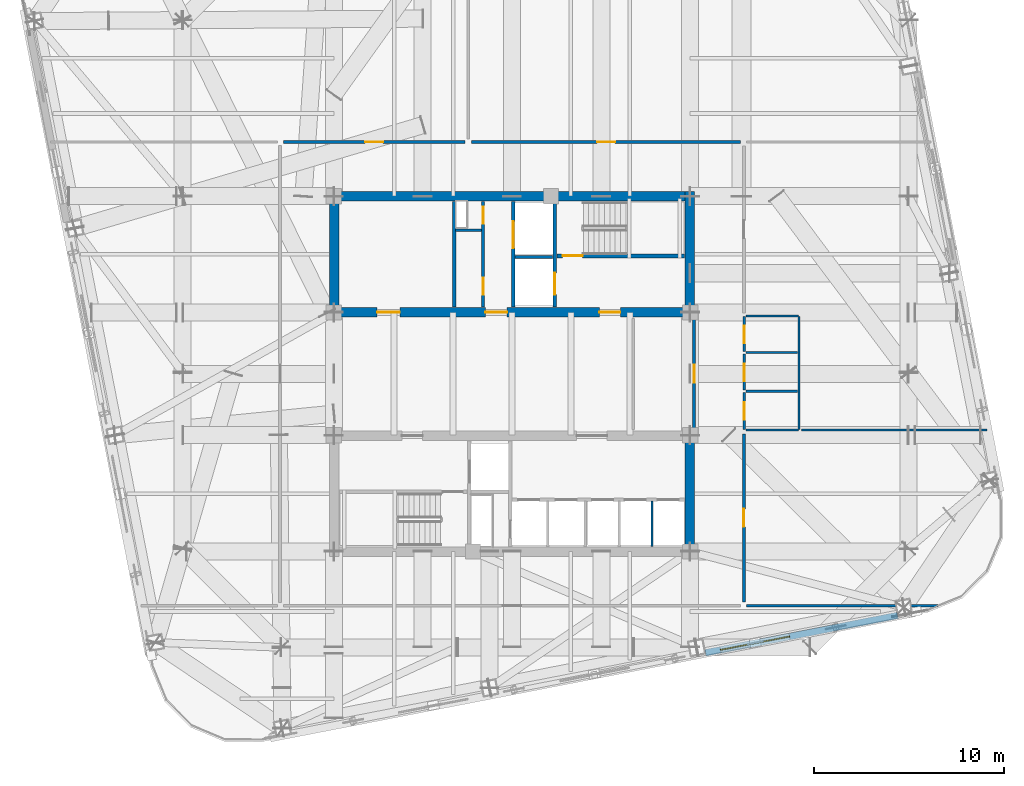
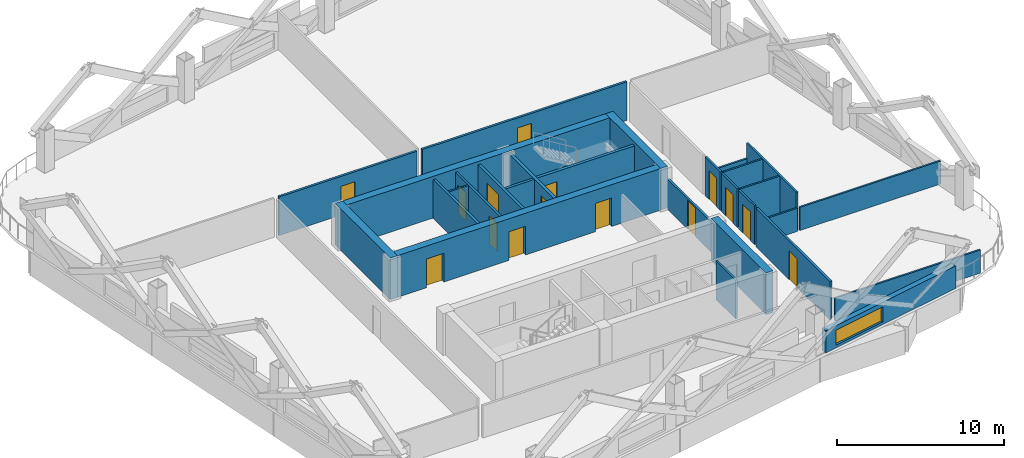
# One storey, part 10 of 14: 28 walls, 15 doors, 1 window, 16 openings.
"""IFC4 building model written with IfcOpenShell, lengths in metres."""

from ifc_helpers import new_model, si_unit, direction, frame, frame_2d, origin, place, context, subcontext, project, spatial, rectangle, extrude, material, layer, layer_set, type_object, element, fill, save


model = new_model("IFC4")

# Units and contexts
model_context = context("Model", 3, precision=1e-05, world=origin(), true_north=direction((0.0, 1.0)))
body_context = subcontext(model_context, "Body", "Model", "MODEL_VIEW")
ifc_project = project(units=[si_unit("LENGTHUNIT", "METRE"), si_unit("AREAUNIT", "SQUARE_METRE"), si_unit("VOLUMEUNIT", "CUBIC_METRE"), si_unit("PLANEANGLEUNIT", "RADIAN"), si_unit("MASSUNIT", "GRAM", prefix="KILO")], contexts=[model_context])

# Site, building, storey
site_placement = place(None, origin())
site = spatial("IfcSite", under=ifc_project, at=site_placement, CompositionType="ELEMENT")
building_placement = place(site_placement, origin())
building = spatial("IfcBuilding", under=site, at=building_placement, Name="Qhalaya Broadcast Tower", CompositionType="ELEMENT")
storey_placement = place(building_placement, frame((0.0, 0.0, 112.800048828125)))
storey = spatial("IfcBuildingStorey", under=building, at=storey_placement, Name="L32", CompositionType="ELEMENT", Elevation=112.800048828125)

# Wall, openings, doors
ifc_material_1 = material(Name="Gypsum Acoustic Partition")
ifc_layer_1 = layer(ifc_material_1, 0.14990234375, Name="Gypsum Acoustic Partition")
ifc_layer_set_1 = layer_set([ifc_layer_1], Name="Gypsum Acoustic Partition")
wall_type_1 = type_object("IfcWallType", Name="Corridor & Tenancy Acoustic Partition 150", PredefinedType="PARTITIONING", material=ifc_layer_set_1)
wall_1_placement = place(storey_placement, frame((-1.52001953125, 4.1201171875, 0.0), z_axis=(0.0, 0.0, 1.0), x_axis=(0.0, 1.0, 0.0)))
wall_1 = element("IfcWall", 1, at=wall_1_placement, inside=storey, type_object=wall_type_1, Name="L32 Partition Wall NCW-SVL", PredefinedType="PARTITIONING", context=body_context, shape_type="SweptSolid", body=[
    extrude(rectangle(XDim=5.559814453125, YDim=0.14990234375, at=frame_2d((2.77978515625, 0.0))), origin(), (0.0, 0.0, 1.0), 2.829833984375),
])
opening_1_placement = place(wall_1_placement, frame((4.3798828125, 0.0, 0.0)))
opening_1 = element("IfcOpeningElement", 2, at=opening_1_placement, cuts=wall_1, Name="Opening D06", PredefinedType="OPENING", context=body_context, shape_type="SweptSolid", body=[
    extrude(rectangle(XDim=0.89990234375, YDim=2.050048828125, at=frame_2d((0.449951171875, 1.02490234375))), frame((0.0, 0.0869140625, 0.0), z_axis=(0.0, -1.0, 0.0), x_axis=(1.0, 0.0, 0.0)), (0.0, 0.0, 1.0), 0.173828125),
])
opening_2_placement = place(wall_1_placement, frame((0.64990234375, 0.0, 0.0)))
opening_2 = element("IfcOpeningElement", 3, at=opening_2_placement, cuts=wall_1, Name="Opening D06", PredefinedType="OPENING", context=body_context, shape_type="SweptSolid", body=[
    extrude(rectangle(XDim=0.89990234375, YDim=2.050048828125, at=frame_2d((0.449951171875, 1.02490234375))), frame((0.0, 0.0869140625, 0.0), z_axis=(0.0, -1.0, 0.0), x_axis=(1.0, 0.0, 0.0)), (0.0, 0.0, 1.0), 0.173828125),
])
ifc_material_2 = material(Name="Fire-Rated Steel Door", Category="steel")
door_type_1 = type_object("IfcDoorType", Name="Riser & Electrical Shaft Access Door D06", OperationType="NOTDEFINED", PredefinedType="DOOR", material=ifc_material_2)
door_1_placement = place(opening_1_placement, origin())
door_1 = element("IfcDoor", 4, at=door_1_placement, inside=storey, type_object=door_type_1, Name="L32 Riser Shaft Access Door D-NRSR", OperationType="SINGLE_SWING_RIGHT", OverallHeight=2.050048828125, OverallWidth=0.89990234375, PredefinedType="DOOR", context=body_context, shape_type="SweptSolid", body=[
    extrude(rectangle(XDim=0.89990234375, YDim=2.050048828125, at=frame_2d((0.449951171875, 1.02490234375))), frame((0.0, 0.02490234375, 0.0), z_axis=(0.0, -1.0, 0.0), x_axis=(1.0, 0.0, 0.0)), (0.0, 0.0, 1.0), 0.050048828125),
])
fill(opening_1, door_1)
door_2_placement = place(opening_2_placement, origin())
door_2 = element("IfcDoor", 5, at=door_2_placement, inside=storey, type_object=door_type_1, Name="L32 Door D-NCST", OperationType="SINGLE_SWING_LEFT", OverallHeight=2.050048828125, OverallWidth=0.89990234375, PredefinedType="DOOR", context=body_context, shape_type="SweptSolid", body=[
    extrude(rectangle(XDim=0.89990234375, YDim=2.050048828125, at=frame_2d((0.449951171875, 1.02490234375))), frame((0.0, 0.02490234375, 0.0), z_axis=(0.0, -1.0, 0.0), x_axis=(1.0, 0.0, 0.0)), (0.0, 0.0, 1.0), 0.050048828125),
])
fill(opening_2, door_2)

# Wall, opening, door
wall_2_placement = place(storey_placement, frame((9.580078125, -2.320068359375, 0.0), z_axis=(0.0, 0.0, 1.0), x_axis=(0.0, 1.0, 0.0)))
wall_2 = element("IfcWall", 6, at=wall_2_placement, inside=storey, type_object=wall_type_1, Name="L32 Partition Wall W-ICHE", PredefinedType="PARTITIONING", context=body_context, shape_type="SweptSolid", body=[
    extrude(rectangle(XDim=5.840087890625, YDim=0.14990234375, at=frame_2d((2.919921875, 0.0))), origin(), (0.0, 0.0, 1.0), 2.197998046875),
])
opening_3_placement = place(wall_2_placement, frame((2.445068359375, 0.0, 0.0)))
opening_3 = element("IfcOpeningElement", 7, at=opening_3_placement, cuts=wall_2, Name="Opening D10", PredefinedType="OPENING", context=body_context, shape_type="SweptSolid", body=[
    extrude(rectangle(XDim=0.949951171875, YDim=2.10009765625, at=frame_2d((0.47509765625, 1.050048828125))), frame((0.0, 0.0869140625, 0.0), z_axis=(0.0, -1.0, 0.0), x_axis=(1.0, 0.0, 0.0)), (0.0, 0.0, 1.0), 0.173828125),
])
ifc_material_3 = material(Name="Timber Veneer Acoustic Door", Category="wood")
door_type_2 = type_object("IfcDoorType", Name="Cellular Office & Edit Booth Door D10", OperationType="NOTDEFINED", PredefinedType="DOOR", material=ifc_material_3)
door_3_placement = place(opening_3_placement, origin())
door_3 = element("IfcDoor", 8, at=door_3_placement, inside=storey, type_object=door_type_2, Name="L32 Door D-ICHE", OperationType="SINGLE_SWING_RIGHT", OverallHeight=2.10009765625, OverallWidth=0.949951171875, PredefinedType="DOOR", context=body_context, shape_type="SweptSolid", body=[
    extrude(rectangle(XDim=0.949951171875, YDim=2.10009765625, at=frame_2d((0.47509765625, 1.050048828125))), frame((0.0, 0.02490234375, 0.0), z_axis=(0.0, -1.0, 0.0), x_axis=(1.0, 0.0, 0.0)), (0.0, 0.0, 1.0), 0.050048828125),
])
fill(opening_3, door_3)

wall_3_placement = place(storey_placement, frame((-12.02001953125, 12.800048828125, 0.0), z_axis=(0.0, 0.0, 1.0), x_axis=(1.0, 0.0, 0.0)))
wall_3 = element("IfcWall", 9, at=wall_3_placement, inside=storey, type_object=wall_type_1, Name="L32 Partition Wall W-COR-01", PredefinedType="PARTITIONING", context=body_context, shape_type="SweptSolid", body=[
    extrude(rectangle(XDim=9.5400390625, YDim=0.14990234375, at=frame_2d((4.77001953125, 0.0))), origin(), (0.0, 0.0, 1.0), 2.829833984375),
])
opening_4_placement = place(wall_3_placement, frame((4.294921875, 0.0, 0.0)))
opening_4 = element("IfcOpeningElement", 10, at=opening_4_placement, cuts=wall_3, Name="Opening D10", PredefinedType="OPENING", context=body_context, shape_type="SweptSolid", body=[
    extrude(rectangle(XDim=0.949951171875, YDim=2.10009765625, at=frame_2d((0.47509765625, 1.050048828125))), frame((0.0, 0.0869140625, 0.0), z_axis=(0.0, -1.0, 0.0), x_axis=(1.0, 0.0, 0.0)), (0.0, 0.0, 1.0), 0.173828125),
])
door_4_placement = place(opening_4_placement, origin())
door_4 = element("IfcDoor", 11, at=door_4_placement, inside=storey, type_object=door_type_2, Name="L32 Door D-RM01", OperationType="SINGLE_SWING_RIGHT", OverallHeight=2.10009765625, OverallWidth=0.949951171875, PredefinedType="DOOR", context=body_context, shape_type="SweptSolid", body=[
    extrude(rectangle(XDim=0.949951171875, YDim=2.10009765625, at=frame_2d((0.47509765625, 1.050048828125))), frame((0.0, 0.02490234375, 0.0), z_axis=(0.0, -1.0, 0.0), x_axis=(1.0, 0.0, 0.0)), (0.0, 0.0, 1.0), 0.050048828125),
])
fill(opening_4, door_4)

wall_4_placement = place(storey_placement, frame((-2.1201171875, 12.800048828125, 0.0), z_axis=(0.0, 0.0, 1.0), x_axis=(1.0, 0.0, 0.0)))
wall_4 = element("IfcWall", 12, at=wall_4_placement, inside=storey, type_object=wall_type_1, Name="L32 Partition Wall W-COR-02", PredefinedType="PARTITIONING", context=body_context, shape_type="SweptSolid", body=[
    extrude(rectangle(XDim=14.14013671875, YDim=0.14990234375, at=frame_2d((7.070068359375, 0.0))), origin(), (0.0, 0.0, 1.0), 2.829833984375),
])
opening_5_placement = place(wall_4_placement, frame((6.594970703125, 0.0, 0.0)))
opening_5 = element("IfcOpeningElement", 13, at=opening_5_placement, cuts=wall_4, Name="Opening D10", PredefinedType="OPENING", context=body_context, shape_type="SweptSolid", body=[
    extrude(rectangle(XDim=0.949951171875, YDim=2.10009765625, at=frame_2d((0.47509765625, 1.050048828125))), frame((0.0, 0.0869140625, 0.0), z_axis=(0.0, -1.0, 0.0), x_axis=(1.0, 0.0, 0.0)), (0.0, 0.0, 1.0), 0.173828125),
])
door_5_placement = place(opening_5_placement, origin())
door_5 = element("IfcDoor", 14, at=door_5_placement, inside=storey, type_object=door_type_2, Name="L32 Door D-RM02", OperationType="SINGLE_SWING_LEFT", OverallHeight=2.10009765625, OverallWidth=0.949951171875, PredefinedType="DOOR", context=body_context, shape_type="SweptSolid", body=[
    extrude(rectangle(XDim=0.949951171875, YDim=2.10009765625, at=frame_2d((0.47509765625, 1.050048828125))), frame((0.0, 0.02490234375, 0.0), z_axis=(0.0, -1.0, 0.0), x_axis=(1.0, 0.0, 0.0)), (0.0, 0.0, 1.0), 0.050048828125),
])
fill(opening_5, door_5)

wall_5_placement = place(storey_placement, frame((12.199951171875, -11.39990234375, 0.0), z_axis=(0.0, 0.0, 1.0), x_axis=(0.0, 1.0, 0.0)))
wall_5 = element("IfcWall", 15, at=wall_5_placement, inside=storey, type_object=wall_type_1, Name="L32 Partition Wall W-COR-05", PredefinedType="PARTITIONING", context=body_context, shape_type="SweptSolid", body=[
    extrude(rectangle(XDim=8.83984375, YDim=0.14990234375, at=frame_2d((4.419921875, 0.0))), origin(), (0.0, 0.0, 1.0), 2.829833984375),
])
opening_6_placement = place(wall_5_placement, frame((3.945068359375, 0.0, 0.0)))
opening_6 = element("IfcOpeningElement", 16, at=opening_6_placement, cuts=wall_5, Name="Opening D10", PredefinedType="OPENING", context=body_context, shape_type="SweptSolid", body=[
    extrude(rectangle(XDim=0.949951171875, YDim=2.10009765625, at=frame_2d((0.47509765625, 1.050048828125))), frame((0.0, 0.0869140625, 0.0), z_axis=(0.0, -1.0, 0.0), x_axis=(1.0, 0.0, 0.0)), (0.0, 0.0, 1.0), 0.173828125),
])
door_6_placement = place(opening_6_placement, origin())
door_6 = element("IfcDoor", 17, at=door_6_placement, inside=storey, type_object=door_type_2, Name="L32 Door D-RM05", OperationType="SINGLE_SWING_RIGHT", OverallHeight=2.10009765625, OverallWidth=0.949951171875, PredefinedType="DOOR", context=body_context, shape_type="SweptSolid", body=[
    extrude(rectangle(XDim=0.949951171875, YDim=2.10009765625, at=frame_2d((0.47509765625, 1.050048828125))), frame((0.0, 0.02490234375, 0.0), z_axis=(0.0, -1.0, 0.0), x_axis=(1.0, 0.0, 0.0)), (0.0, 0.0, 1.0), 0.050048828125),
])
fill(opening_6, door_6)

# Wall, opening, window
ifc_material_4 = material(Name="Precast Concrete C40/50", Category="concrete")
ifc_layer_2 = layer(ifc_material_4, 0.360107421875, Name="Precast Concrete C40/50")
ifc_layer_set_2 = layer_set([ifc_layer_2], Name="Precast Concrete C40/50")
wall_type_2 = type_object("IfcWallType", Name="Insulated Precast Terracotta Exterior Wall 360", PredefinedType="SOLIDWALL", material=ifc_layer_set_2)
wall_6_placement = place(storey_placement, frame((20.29638671875, -12.10986328125, 0.0), z_axis=(0.0, 0.0, 1.0), x_axis=(-0.981628941133, -0.190799952646, 0.0)))
wall_6 = element("IfcWall", 18, at=wall_6_placement, inside=storey, type_object=wall_type_2, Name="L32 Exoskeleton Diagrid Infill Wall S1", PredefinedType="SOLIDWALL", context=body_context, shape_type="SweptSolid", body=[
    extrude(rectangle(XDim=10.31201171875, YDim=0.360107421875, at=frame_2d((5.156005859375, 0.0))), origin(), (0.0, 0.0, 1.0), 1.6318359375),
])
opening_7_placement = place(wall_6_placement, frame((5.800048828125, 0.0, 0.199951171875)))
opening_7 = element("IfcOpeningElement", 19, at=opening_7_placement, cuts=wall_6, Name="Opening W11", PredefinedType="OPENING", context=body_context, shape_type="SweptSolid", body=[
    extrude(rectangle(XDim=3.699951171875, YDim=1.10009765625, at=frame_2d((1.85009765625, 0.550048828125))), frame((0.0, 0.192138671875, 0.0), z_axis=(0.0, -1.0, 0.0), x_axis=(1.0, 0.0, 0.0)), (0.0, 0.0, 1.0), 0.384033203125),
])
ifc_material_5 = material(Name="Solar-Control Low-E Triple Glazing", Category="glass")
window_type = type_object("IfcWindowType", Name="Odd-Block Diagrid Infill Window W11", PartitioningType="SINGLE_PANEL", PredefinedType="WINDOW", material=ifc_material_5)
window_placement = place(opening_7_placement, origin())
window = element("IfcWindow", 20, at=window_placement, inside=storey, type_object=window_type, Name="L32 Diagrid Infill Window W11-S1", OverallHeight=1.10009765625, OverallWidth=3.699951171875, PartitioningType="SINGLE_PANEL", PredefinedType="WINDOW", context=body_context, shape_type="SweptSolid", body=[
    extrude(rectangle(XDim=3.699951171875, YDim=1.10009765625, at=frame_2d((1.85009765625, 0.550048828125))), frame((0.0, 0.030029296875, 0.0), z_axis=(0.0, -1.0, 0.0), x_axis=(1.0, 0.0, 0.0)), (0.0, 0.0, 1.0), 0.06005859375),
])
fill(opening_7, window)

# Wall, opening, door
ifc_material_6 = material(Name="Concrete C50/60", Category="concrete")
ifc_layer_3 = layer(ifc_material_6, 0.199951171875, Name="Concrete C50/60")
ifc_layer_set_3 = layer_set([ifc_layer_3], Name="Concrete C50/60")
wall_type_3 = type_object("IfcWallType", Name="Load-Bearing Stair Shaft Wall 200", PredefinedType="SHEAR", material=ifc_layer_set_3)
wall_7_placement = place(storey_placement, frame((2.360107421875, 6.804931640625, 0.0), z_axis=(0.0, 0.0, 1.0), x_axis=(1.0, 0.0, 0.0)))
wall_7 = element("IfcWall", 21, at=wall_7_placement, inside=storey, type_object=wall_type_3, Name="L32 Stair Core Shear Wall NCW-ST1", PredefinedType="SHEAR", context=body_context, shape_type="SweptSolid", body=[
    extrude(rectangle(XDim=6.719970703125, YDim=0.199951171875, at=frame_2d((3.35986328125, 0.0))), origin(), (0.0, 0.0, 1.0), 2.829833984375),
])
opening_8_placement = place(wall_7_placement, frame((0.300048828125, 0.0, 0.0)))
opening_8 = element("IfcOpeningElement", 22, at=opening_8_placement, cuts=wall_7, Name="Opening D03", PredefinedType="OPENING", context=body_context, shape_type="SweptSolid", body=[
    extrude(rectangle(XDim=1.050048828125, YDim=2.080078125, at=frame_2d((0.52490234375, 1.0400390625))), frame((0.0, 0.112060546875, 0.0), z_axis=(0.0, -1.0, 0.0), x_axis=(1.0, 0.0, 0.0)), (0.0, 0.0, 1.0), 0.223876953125),
])
door_type_3 = type_object("IfcDoorType", Name="Core Stair Protected Fire Door D03", OperationType="NOTDEFINED", PredefinedType="DOOR", material=ifc_material_2)
door_7_placement = place(opening_8_placement, origin())
door_7 = element("IfcDoor", 23, at=door_7_placement, inside=storey, type_object=door_type_3, Name="L32 Door D-NST1", OperationType="SINGLE_SWING_LEFT", OverallHeight=2.080078125, OverallWidth=1.050048828125, PredefinedType="DOOR", context=body_context, shape_type="SweptSolid", body=[
    extrude(rectangle(XDim=1.050048828125, YDim=2.080078125, at=frame_2d((0.52490234375, 1.0400390625))), frame((0.0, 0.02490234375, 0.0), z_axis=(0.0, -1.0, 0.0), x_axis=(1.0, 0.0, 0.0)), (0.0, 0.0, 1.0), 0.050048828125),
])
fill(opening_8, door_7)

wall_8_placement = place(storey_placement, frame((2.25, 4.1201171875, 0.0), z_axis=(0.0, 0.0, 1.0), x_axis=(0.0, 1.0, 0.0)))
wall_8 = element("IfcWall", 24, at=wall_8_placement, inside=storey, type_object=wall_type_3, Name="L32 Stair Core Shear Wall NCW-FF", PredefinedType="SHEAR", context=body_context, shape_type="SweptSolid", body=[
    extrude(rectangle(XDim=5.559814453125, YDim=0.199951171875, at=frame_2d((2.77978515625, 0.0))), origin(), (0.0, 0.0, 1.0), 2.829833984375),
])
opening_9_placement = place(wall_8_placement, frame((0.64990234375, 0.0, 0.0)))
opening_9 = element("IfcOpeningElement", 25, at=opening_9_placement, cuts=wall_8, Name="Opening LD2", PredefinedType="OPENING", context=body_context, shape_type="SweptSolid", body=[
    extrude(rectangle(XDim=1.14990234375, YDim=2.080078125, at=frame_2d((0.574951171875, 1.0400390625))), frame((0.0, 0.112060546875, 0.0), z_axis=(0.0, -1.0, 0.0), x_axis=(1.0, 0.0, 0.0)), (0.0, 0.0, 1.0), 0.223876953125),
])
ifc_material_7 = material(Name="Brushed Stainless Steel Lift Door", Category="steel")
door_type_4 = type_object("IfcDoorType", Name="Firefighting Lift Sliding Landing Door LD2", OperationType="DOUBLE_DOOR_SLIDING", PredefinedType="DOOR", material=ifc_material_7)
door_8_placement = place(opening_9_placement, origin())
door_8 = element("IfcDoor", 26, at=door_8_placement, inside=storey, type_object=door_type_4, Name="L32 Door LD-FF1", OperationType="DOUBLE_DOOR_SLIDING", OverallHeight=2.080078125, OverallWidth=1.14990234375, PredefinedType="DOOR", context=body_context, shape_type="SweptSolid", body=[
    extrude(rectangle(XDim=1.14990234375, YDim=2.080078125, at=frame_2d((0.574951171875, 1.0400390625))), frame((0.0, 0.02490234375, 0.0), z_axis=(0.0, -1.0, 0.0), x_axis=(1.0, 0.0, 0.0)), (0.0, 0.0, 1.0), 0.050048828125),
])
fill(opening_9, door_8)

# Wall
ifc_layer_4 = layer(ifc_material_6, 0.5, Name="Concrete C50/60")
ifc_layer_set_4 = layer_set([ifc_layer_4], Name="Concrete C50/60")
wall_type_4 = type_object("IfcWallType", Name="Mid Split-Core Shear Wall 500", PredefinedType="SHEAR", material=ifc_layer_set_4)
wall_9_placement = place(storey_placement, frame((-9.60009765625, 9.949951171875, 0.0), z_axis=(0.0, 0.0, 1.0), x_axis=(1.0, 0.0, 0.0)))
element("IfcWall", 27, at=wall_9_placement, inside=storey, type_object=wall_type_4, Name="L32 Split-Core Shear Wall CW-NN", PredefinedType="SHEAR", context=body_context, shape_type="SweptSolid", body=[
    extrude(rectangle(XDim=19.2001953125, YDim=0.5, at=frame_2d((9.60009765625, 0.0))), origin(), (0.0, 0.0, 1.0), 3.050048828125),
])

# Wall, openings, doors
wall_10_placement = place(storey_placement, frame((-9.60009765625, 3.85009765625, 0.0), z_axis=(0.0, 0.0, 1.0), x_axis=(1.0, 0.0, 0.0)))
wall_10 = element("IfcWall", 28, at=wall_10_placement, inside=storey, type_object=wall_type_4, Name="L32 Split-Core Shear Wall CW-NS", PredefinedType="SHEAR", context=body_context, shape_type="SweptSolid", body=[
    extrude(rectangle(XDim=19.2001953125, YDim=0.5, at=frame_2d((9.60009765625, 0.0))), origin(), (0.0, 0.0, 1.0), 3.050048828125),
])
opening_10_placement = place(wall_10_placement, frame((14.199951171875, 0.0, 0.0)))
opening_10 = element("IfcOpeningElement", 29, at=opening_10_placement, cuts=wall_10, Name="Opening D04", PredefinedType="OPENING", context=body_context, shape_type="SweptSolid", body=[
    extrude(rectangle(XDim=1.10009765625, YDim=2.080078125, at=frame_2d((0.550048828125, 1.0400390625))), frame((0.0, 0.261962890625, 0.0), z_axis=(0.0, -1.0, 0.0), x_axis=(1.0, 0.0, 0.0)), (0.0, 0.0, 1.0), 0.52392578125),
])
opening_11_placement = place(wall_10_placement, frame((8.199951171875, 0.0, 0.0)))
opening_11 = element("IfcOpeningElement", 30, at=opening_11_placement, cuts=wall_10, Name="Opening D05", PredefinedType="OPENING", context=body_context, shape_type="SweptSolid", body=[
    extrude(rectangle(XDim=1.14990234375, YDim=2.10009765625, at=frame_2d((0.574951171875, 1.050048828125))), frame((0.0, 0.261962890625, 0.0), z_axis=(0.0, -1.0, 0.0), x_axis=(1.0, 0.0, 0.0)), (0.0, 0.0, 1.0), 0.52392578125),
])
opening_12_placement = place(wall_10_placement, frame((2.5, 0.0, 0.0)))
opening_12 = element("IfcOpeningElement", 31, at=opening_12_placement, cuts=wall_10, Name="Opening D11", PredefinedType="OPENING", context=body_context, shape_type="SweptSolid", body=[
    extrude(rectangle(XDim=1.199951171875, YDim=2.10009765625, at=frame_2d((0.60009765625, 1.050048828125))), frame((0.0, 0.261962890625, 0.0), z_axis=(0.0, -1.0, 0.0), x_axis=(1.0, 0.0, 0.0)), (0.0, 0.0, 1.0), 0.52392578125),
])
ifc_material_8 = material(Name="Anodised Aluminium Glazed Door", Category="aluminium")
door_type_5 = type_object("IfcDoorType", Name="Conference, Boardroom & Studio Control Door D11", OperationType="NOTDEFINED", PredefinedType="DOOR", material=ifc_material_8)
door_9_placement = place(opening_12_placement, origin())
door_9 = element("IfcDoor", 32, at=door_9_placement, inside=storey, type_object=door_type_5, Name="L32 Door D-NREC1", OperationType="SINGLE_SWING_LEFT", OverallHeight=2.10009765625, OverallWidth=1.199951171875, PredefinedType="DOOR", context=body_context, shape_type="SweptSolid", body=[
    extrude(rectangle(XDim=1.199951171875, YDim=2.10009765625, at=frame_2d((0.60009765625, 1.050048828125))), frame((0.0, 0.02490234375, 0.0), z_axis=(0.0, -1.0, 0.0), x_axis=(1.0, 0.0, 0.0)), (0.0, 0.0, 1.0), 0.050048828125),
])
fill(opening_12, door_9)
door_type_6 = type_object("IfcDoorType", Name="Firefighting Lobby Rated Door D04", OperationType="NOTDEFINED", PredefinedType="DOOR", material=ifc_material_2)
door_10_placement = place(opening_10_placement, origin())
door_10 = element("IfcDoor", 33, at=door_10_placement, inside=storey, type_object=door_type_6, Name="L32 Door D-NFF", OperationType="SINGLE_SWING_RIGHT", OverallHeight=2.080078125, OverallWidth=1.10009765625, PredefinedType="DOOR", context=body_context, shape_type="SweptSolid", body=[
    extrude(rectangle(XDim=1.10009765625, YDim=2.080078125, at=frame_2d((0.550048828125, 1.0400390625))), frame((0.0, 0.02490234375, 0.0), z_axis=(0.0, -1.0, 0.0), x_axis=(1.0, 0.0, 0.0)), (0.0, 0.0, 1.0), 0.050048828125),
])
fill(opening_10, door_10)
door_type_7 = type_object("IfcDoorType", Name="Refuge & Plant Room Fire Door D05", OperationType="NOTDEFINED", PredefinedType="DOOR", material=ifc_material_2)
door_11_placement = place(opening_11_placement, origin())
door_11 = element("IfcDoor", 34, at=door_11_placement, inside=storey, type_object=door_type_7, Name="L32 Door D-NSVL", OperationType="SINGLE_SWING_LEFT", OverallHeight=2.10009765625, OverallWidth=1.14990234375, PredefinedType="DOOR", context=body_context, shape_type="SweptSolid", body=[
    extrude(rectangle(XDim=1.14990234375, YDim=2.10009765625, at=frame_2d((0.574951171875, 1.050048828125))), frame((0.0, 0.02490234375, 0.0), z_axis=(0.0, -1.0, 0.0), x_axis=(1.0, 0.0, 0.0)), (0.0, 0.0, 1.0), 0.050048828125),
])
fill(opening_11, door_11)

# Walls
for number, where, z_axis, x_axis, name in (
    (35, (-9.35009765625, 3.60009765625, 0.0), (0.0, 0.0, 1.0), (0.0, 1.0, 0.0), "L32 Split-Core Shear Wall CW-NW"),
    (36, (9.35009765625, 3.60009765625, 0.0), (0.0, 0.0, 1.0), (0.0, 1.0, 0.0), "L32 Split-Core Shear Wall CW-NE"),
):
    element("IfcWall", number, at=place(storey_placement, frame(where, z_axis=z_axis, x_axis=x_axis)), inside=storey, type_object=wall_type_4, Name=name, PredefinedType="SHEAR", context=body_context, shape_type="SweptSolid", body=[
        extrude(rectangle(XDim=6.599853515625, YDim=0.5, at=frame_2d((3.2998046875, 0.0))), origin(), (0.0, 0.0, 1.0), 3.050048828125),
    ])
wall_11_placement = place(storey_placement, frame((9.35009765625, -9.0, 0.0), z_axis=(0.0, 0.0, 1.0), x_axis=(0.0, 1.0, 0.0)))
element("IfcWall", 37, at=wall_11_placement, inside=storey, type_object=wall_type_4, Name="L32 Split-Core Shear Wall CW-SE", PredefinedType="SHEAR", context=body_context, shape_type="SweptSolid", body=[
    extrude(rectangle(XDim=6.60009765625, YDim=0.5, at=frame_2d((3.300048828125, 0.0))), origin(), (0.0, 0.0, 1.0), 3.050048828125),
])
ifc_layer_5 = layer(ifc_material_1, 0.1201171875, Name="Gypsum Acoustic Partition")
ifc_layer_set_5 = layer_set([ifc_layer_5], Name="Gypsum Acoustic Partition")
wall_type_5 = type_object("IfcWallType", Name="Office, Booth & Sanitary Partition 120", PredefinedType="PARTITIONING", material=ifc_layer_set_5)
wall_12_placement = place(storey_placement, frame((-2.9599609375, 8.14990234375, 0.0), z_axis=(0.0, 0.0, 1.0), x_axis=(1.0, 0.0, 0.0)))
element("IfcWall", 38, at=wall_12_placement, inside=storey, type_object=wall_type_5, Name="L32 Partition Wall NCW-VA", PredefinedType="PARTITIONING", context=body_context, shape_type="SweptSolid", body=[
    extrude(rectangle(XDim=1.35986328125, YDim=0.1201171875, at=frame_2d((0.679931640625, 0.0))), origin(), (0.0, 0.0, 1.0), 2.829833984375),
])
wall_13_placement = place(storey_placement, frame((7.360107421875, -8.47998046875, 0.0), z_axis=(0.0, 0.0, 1.0), x_axis=(0.0, 1.0, 0.0)))
element("IfcWall", 39, at=wall_13_placement, inside=storey, type_object=wall_type_5, Name="L32 Partition Wall SCW-HD7", PredefinedType="PARTITIONING", context=body_context, shape_type="SweptSolid", body=[
    extrude(rectangle(XDim=2.3798828125, YDim=0.1201171875, at=frame_2d((1.18994140625, 0.0))), origin(), (0.0, 0.0, 1.0), 2.829833984375),
])

# Wall, opening, door
wall_14_placement = place(storey_placement, frame((12.219970703125, -2.320068359375, 0.0), z_axis=(0.0, 0.0, 1.0), x_axis=(0.0, 1.0, 0.0)))
wall_14 = element("IfcWall", 40, at=wall_14_placement, inside=storey, type_object=wall_type_5, Name="L32 Partition Wall W-WCWA", PredefinedType="PARTITIONING", context=body_context, shape_type="SweptSolid", body=[
    extrude(rectangle(XDim=1.940185546875, YDim=0.1201171875, at=frame_2d((0.97021484375, 0.0))), origin(), (0.0, 0.0, 1.0), 2.829833984375),
])
opening_13_placement = place(wall_14_placement, frame((0.4951171875, 0.0, 0.0)))
opening_13 = element("IfcOpeningElement", 41, at=opening_13_placement, cuts=wall_14, Name="Opening D12", PredefinedType="OPENING", context=body_context, shape_type="SweptSolid", body=[
    extrude(rectangle(XDim=0.919921875, YDim=2.10009765625, at=frame_2d((0.4599609375, 1.050048828125))), frame((0.0, 0.072021484375, 0.0), z_axis=(0.0, -1.0, 0.0), x_axis=(1.0, 0.0, 0.0)), (0.0, 0.0, 1.0), 0.14404296875),
])
door_type_8 = type_object("IfcDoorType", Name="Accessible WC & Restroom Door D12", OperationType="NOTDEFINED", PredefinedType="DOOR", material=ifc_material_3)
door_12_placement = place(opening_13_placement, origin())
door_12 = element("IfcDoor", 42, at=door_12_placement, inside=storey, type_object=door_type_8, Name="L32 Door D-WCA", OperationType="SINGLE_SWING_LEFT", OverallHeight=2.10009765625, OverallWidth=0.919921875, PredefinedType="DOOR", context=body_context, shape_type="SweptSolid", body=[
    extrude(rectangle(XDim=0.919921875, YDim=2.10009765625, at=frame_2d((0.4599609375, 1.050048828125))), frame((0.0, 0.02490234375, 0.0), z_axis=(0.0, -1.0, 0.0), x_axis=(1.0, 0.0, 0.0)), (0.0, 0.0, 1.0), 0.050048828125),
])
fill(opening_13, door_12)

wall_15_placement = place(storey_placement, frame((12.219970703125, -0.25, 0.0), z_axis=(0.0, 0.0, 1.0), x_axis=(0.0, 1.0, 0.0)))
wall_15 = element("IfcWall", 43, at=wall_15_placement, inside=storey, type_object=wall_type_5, Name="L32 Partition Wall W-WCWM", PredefinedType="PARTITIONING", context=body_context, shape_type="SweptSolid", body=[
    extrude(rectangle(XDim=1.89990234375, YDim=0.1201171875, at=frame_2d((0.949951171875, 0.0))), origin(), (0.0, 0.0, 1.0), 2.829833984375),
])
opening_14_placement = place(wall_15_placement, frame((0.47509765625, 0.0, 0.0)))
opening_14 = element("IfcOpeningElement", 44, at=opening_14_placement, cuts=wall_15, Name="Opening D12", PredefinedType="OPENING", context=body_context, shape_type="SweptSolid", body=[
    extrude(rectangle(XDim=0.919921875, YDim=2.10009765625, at=frame_2d((0.4599609375, 1.050048828125))), frame((0.0, 0.072021484375, 0.0), z_axis=(0.0, -1.0, 0.0), x_axis=(1.0, 0.0, 0.0)), (0.0, 0.0, 1.0), 0.14404296875),
])
door_13_placement = place(opening_14_placement, origin())
door_13 = element("IfcDoor", 45, at=door_13_placement, inside=storey, type_object=door_type_8, Name="L32 Door D-WCM", OperationType="SINGLE_SWING_RIGHT", OverallHeight=2.10009765625, OverallWidth=0.919921875, PredefinedType="DOOR", context=body_context, shape_type="SweptSolid", body=[
    extrude(rectangle(XDim=0.919921875, YDim=2.10009765625, at=frame_2d((0.4599609375, 1.050048828125))), frame((0.0, 0.02490234375, 0.0), z_axis=(0.0, -1.0, 0.0), x_axis=(1.0, 0.0, 0.0)), (0.0, 0.0, 1.0), 0.050048828125),
])
fill(opening_14, door_13)

wall_16_placement = place(storey_placement, frame((12.219970703125, 1.780029296875, 0.0), z_axis=(0.0, 0.0, 1.0), x_axis=(0.0, 1.0, 0.0)))
wall_16 = element("IfcWall", 46, at=wall_16_placement, inside=storey, type_object=wall_type_5, Name="L32 Partition Wall W-WCWF", PredefinedType="PARTITIONING", context=body_context, shape_type="SweptSolid", body=[
    extrude(rectangle(XDim=1.830078125, YDim=0.1201171875, at=frame_2d((0.9150390625, 0.0))), origin(), (0.0, 0.0, 1.0), 2.829833984375),
])
opening_15_placement = place(wall_16_placement, frame((0.43994140625, 0.0, 0.0)))
opening_15 = element("IfcOpeningElement", 47, at=opening_15_placement, cuts=wall_16, Name="Opening D12", PredefinedType="OPENING", context=body_context, shape_type="SweptSolid", body=[
    extrude(rectangle(XDim=0.919921875, YDim=2.10009765625, at=frame_2d((0.4599609375, 1.050048828125))), frame((0.0, 0.072021484375, 0.0), z_axis=(0.0, -1.0, 0.0), x_axis=(1.0, 0.0, 0.0)), (0.0, 0.0, 1.0), 0.14404296875),
])
door_14_placement = place(opening_15_placement, origin())
door_14 = element("IfcDoor", 48, at=door_14_placement, inside=storey, type_object=door_type_8, Name="L32 Door D-WCF", OperationType="SINGLE_SWING_LEFT", OverallHeight=2.10009765625, OverallWidth=0.919921875, PredefinedType="DOOR", context=body_context, shape_type="SweptSolid", body=[
    extrude(rectangle(XDim=0.919921875, YDim=2.10009765625, at=frame_2d((0.4599609375, 1.050048828125))), frame((0.0, 0.02490234375, 0.0), z_axis=(0.0, -1.0, 0.0), x_axis=(1.0, 0.0, 0.0)), (0.0, 0.0, 1.0), 0.050048828125),
])
fill(opening_15, door_14)

# Walls
wall_17_placement = place(storey_placement, frame((15.10009765625, -2.320068359375, 0.0), z_axis=(0.0, 0.0, 1.0), x_axis=(0.0, 1.0, 0.0)))
element("IfcWall", 49, at=wall_17_placement, inside=storey, type_object=wall_type_5, Name="L32 Partition Wall W-WCE", PredefinedType="PARTITIONING", context=body_context, shape_type="SweptSolid", body=[
    extrude(rectangle(XDim=5.93017578125, YDim=0.1201171875, at=frame_2d((2.965087890625, 0.0))), origin(), (0.0, 0.0, 1.0), 2.829833984375),
])
for number, where, z_axis, x_axis, name in (
    (50, (12.31005859375, -2.35009765625, 0.0), (0.0, 0.0, 1.0), (1.0, 0.0, 0.0), "L32 Partition Wall W-WCS"),
    (51, (12.31005859375, 3.639892578125, 0.0), (0.0, 0.0, 1.0), (1.0, 0.0, 0.0), "L32 Partition Wall W-WCN"),
):
    element("IfcWall", number, at=place(storey_placement, frame(where, z_axis=z_axis, x_axis=x_axis)), inside=storey, type_object=wall_type_5, Name=name, PredefinedType="PARTITIONING", context=body_context, shape_type="SweptSolid", body=[
        extrude(rectangle(XDim=2.760009765625, YDim=0.1201171875, at=frame_2d((1.3798828125, 0.0))), origin(), (0.0, 0.0, 1.0), 1.69189453125),
    ])
for number, where, z_axis, x_axis, name in (
    (52, (12.31005859375, -0.320068359375, 0.0), (0.0, 0.0, 1.0), (1.0, 0.0, 0.0), "L32 Partition Wall W-WCD1"),
    (53, (12.31005859375, 1.719970703125, 0.0), (0.0, 0.0, 1.0), (1.0, 0.0, 0.0), "L32 Partition Wall W-WCD2"),
):
    element("IfcWall", number, at=place(storey_placement, frame(where, z_axis=z_axis, x_axis=x_axis)), inside=storey, type_object=wall_type_5, Name=name, PredefinedType="PARTITIONING", context=body_context, shape_type="SweptSolid", body=[
        extrude(rectangle(XDim=2.719970703125, YDim=0.1201171875, at=frame_2d((1.35986328125, 0.0))), origin(), (0.0, 0.0, 1.0), 2.829833984375),
    ])
wall_18_placement = place(storey_placement, frame((12.340087890625, -11.60009765625, 0.0), z_axis=(0.0, 0.0, 1.0), x_axis=(1.0, 0.0, 0.0)))
element("IfcWall", 54, at=wall_18_placement, inside=storey, type_object=wall_type_5, Name="L32 Partition Wall W-BNDE2", PredefinedType="PARTITIONING", context=body_context, shape_type="SweptSolid", body=[
    extrude(rectangle(XDim=10.06640625, YDim=0.1201171875, at=frame_2d((5.033203125, 0.0))), origin(), (0.0, 0.0, 1.0), 1.69189453125),
])
wall_19_placement = place(storey_placement, frame((15.239990234375, -2.35009765625, 0.0), z_axis=(0.0, 0.0, 1.0), x_axis=(1.0, 0.0, 0.0)))
element("IfcWall", 55, at=wall_19_placement, inside=storey, type_object=wall_type_5, Name="L32 Partition Wall W-DIVE-WC", PredefinedType="PARTITIONING", context=body_context, shape_type="SweptSolid", body=[
    extrude(rectangle(XDim=9.748291015625, YDim=0.1201171875, at=frame_2d((4.8740234375, 0.0))), origin(), (0.0, 0.0, 1.0), 1.69189453125),
])

# Wall, opening, door
ifc_layer_6 = layer(ifc_material_1, 0.175048828125, Name="Gypsum Acoustic Partition")
ifc_layer_set_6 = layer_set([ifc_layer_6], Name="Gypsum Acoustic Partition")
wall_type_6 = type_object("IfcWallType", Name="Shaft & Riser Fire Partition 175", PredefinedType="PARTITIONING", material=ifc_layer_set_6)
wall_20_placement = place(storey_placement, frame((0.06005859375, 4.1201171875, 0.0), z_axis=(0.0, 0.0, 1.0), x_axis=(0.0, 1.0, 0.0)))
wall_20 = element("IfcWall", 56, at=wall_20_placement, inside=storey, type_object=wall_type_6, Name="L32 Partition Wall NCW-SVW", PredefinedType="PARTITIONING", context=body_context, shape_type="SweptSolid", body=[
    extrude(rectangle(XDim=5.559814453125, YDim=0.175048828125, at=frame_2d((2.77978515625, 0.0))), origin(), (0.0, 0.0, 1.0), 2.829833984375),
])
opening_16_placement = place(wall_20_placement, frame((3.10009765625, 0.0, 0.0)))
opening_16 = element("IfcOpeningElement", 57, at=opening_16_placement, cuts=wall_20, Name="Opening LD3", PredefinedType="OPENING", context=body_context, shape_type="SweptSolid", body=[
    extrude(rectangle(XDim=1.39990234375, YDim=2.1201171875, at=frame_2d((0.699951171875, 1.06005859375))), frame((0.0, 0.099609375, 0.0), z_axis=(0.0, -1.0, 0.0), x_axis=(1.0, 0.0, 0.0)), (0.0, 0.0, 1.0), 0.198974609375),
])
door_type_9 = type_object("IfcDoorType", Name="Service Lift Wide Sliding Landing Door LD3", OperationType="DOUBLE_DOOR_SLIDING", PredefinedType="DOOR", material=ifc_material_7)
door_15_placement = place(opening_16_placement, origin())
door_15 = element("IfcDoor", 58, at=door_15_placement, inside=storey, type_object=door_type_9, Name="L32 Door LD-SV1", OperationType="DOUBLE_DOOR_SLIDING", OverallHeight=2.1201171875, OverallWidth=1.39990234375, PredefinedType="DOOR", context=body_context, shape_type="SweptSolid", body=[
    extrude(rectangle(XDim=1.39990234375, YDim=2.1201171875, at=frame_2d((0.699951171875, 1.06005859375))), frame((0.0, 0.02490234375, 0.0), z_axis=(0.0, -1.0, 0.0), x_axis=(1.0, 0.0, 0.0)), (0.0, 0.0, 1.0), 0.050048828125),
])
fill(opening_16, door_15)

# Walls
wall_21_placement = place(storey_placement, frame((0.159912109375, 6.75, 0.0), z_axis=(0.0, 0.0, 1.0), x_axis=(1.0, 0.0, 0.0)))
element("IfcWall", 59, at=wall_21_placement, inside=storey, type_object=wall_type_6, Name="L32 Partition Wall NCW-SVM", PredefinedType="PARTITIONING", context=body_context, shape_type="SweptSolid", body=[
    extrude(rectangle(XDim=1.97998046875, YDim=0.175048828125, at=frame_2d((0.989990234375, 0.0))), origin(), (0.0, 0.0, 1.0), 2.829833984375),
])
wall_22_placement = place(storey_placement, frame((-3.0400390625, 4.1201171875, 0.0), z_axis=(0.0, 0.0, 1.0), x_axis=(0.0, 1.0, 0.0)))
element("IfcWall", 60, at=wall_22_placement, inside=storey, type_object=wall_type_6, Name="L32 Partition Wall NCW-VRW", PredefinedType="PARTITIONING", context=body_context, shape_type="SweptSolid", body=[
    extrude(rectangle(XDim=5.559814453125, YDim=0.175048828125, at=frame_2d((2.77978515625, 0.0))), origin(), (0.0, 0.0, 1.0), 2.829833984375),
])

save(model, "model.ifc")
